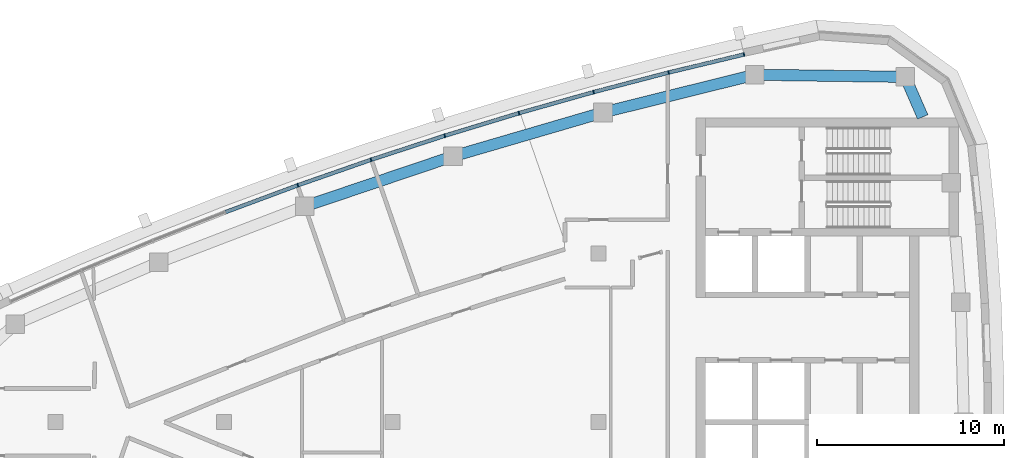
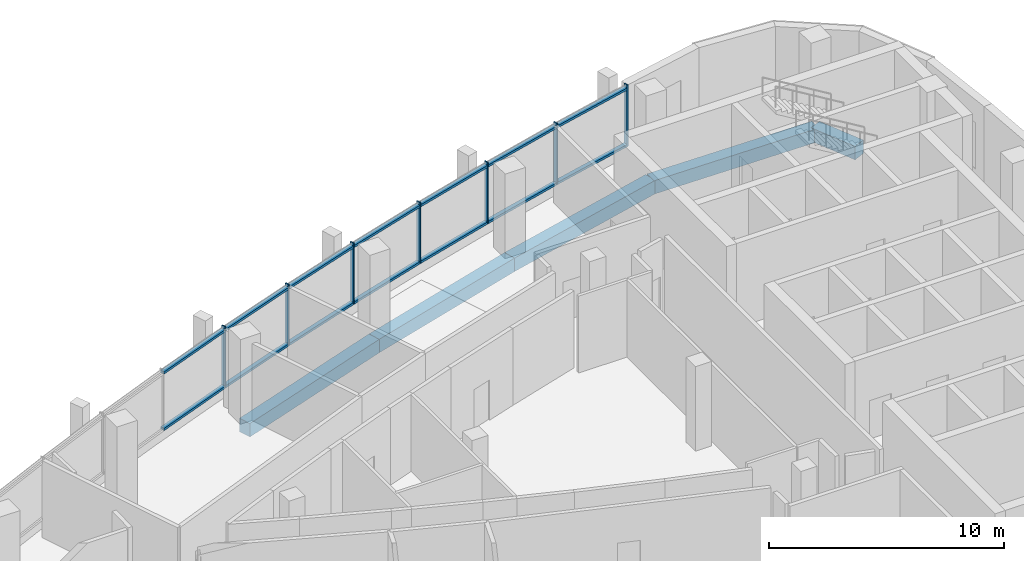
# One storey, part 5 of 15: 21 members, 5 beams, 4 elements without a shape of their own.
"""IFC4 building model written with IfcOpenShell, lengths in metres."""

from ifc_helpers import new_model, si_unit, direction, frame, origin, origin_2d, place, context, subcontext, project, spatial, rectangle, extrude, material, layer, layer_set, material_profile, profile_set, type_object, element, aggregate, save


model = new_model("IFC4")

# Units and contexts
model_context = context("Model", 3, precision=1e-05, world=origin(), true_north=direction((0.0, 1.0)))
body_context = subcontext(model_context, "Body", "Model", "MODEL_VIEW")
ifc_project = project(units=[si_unit("LENGTHUNIT", "METRE"), si_unit("AREAUNIT", "SQUARE_METRE"), si_unit("VOLUMEUNIT", "CUBIC_METRE"), si_unit("PLANEANGLEUNIT", "RADIAN"), si_unit("MASSUNIT", "GRAM", prefix="KILO")], contexts=[model_context])

# Site, building, storey
site_placement = place(None, origin())
site = spatial("IfcSite", under=ifc_project, at=site_placement, CompositionType="ELEMENT")
building_placement = place(site_placement, origin())
building = spatial("IfcBuilding", under=site, at=building_placement, Name="Ostrand Prow Hotel Tower", CompositionType="ELEMENT")
storey_placement = place(building_placement, frame((0.0, 0.0, 318.60009765625)))
storey = spatial("IfcBuildingStorey", under=building, at=storey_placement, Name="C3", CompositionType="ELEMENT", Elevation=318.60009765625)

# Beams
ifc_material_1 = material(Name="Concrete C40/50", Category="concrete")
ifc_material_profile_1 = material_profile(ifc_material_1, rectangle(XDim=0.60009765625, YDim=0.699951171875, at=origin_2d()), Name="RC 600x700")
ifc_profile_set_1 = profile_set([ifc_material_profile_1], Name="Concrete C40/50")
beam_type = type_object("IfcBeamType", Name="Edge beam 600x700 C40/50", PredefinedType="SPANDREL", material=ifc_profile_set_1)
beam_1_placement = place(storey_placement, frame((62.304931640625, 16.300048828125, -0.650146484375), z_axis=(-0.398863844187, 0.91701016014, 0.0), x_axis=(-0.91701016014, -0.398863844187, 0.0)))
element("IfcBeam", 1, at=beam_1_placement, inside=storey, type_object=beam_type, Name="Edge beam B5-NE", PredefinedType="SPANDREL", context=body_context, shape_type="SweptSolid", body=[
    extrude(rectangle(XDim=0.60009765625, YDim=0.699951171875, at=origin_2d()), origin(), (0.0, 0.0, 1.0), 2.333251953125),
])
beam_2_placement = place(storey_placement, frame((61.374267578125, 18.439697265625, -0.650146484375), z_axis=(-0.999900689486, 0.014092947356, 0.0), x_axis=(-0.014092947356, -0.999900689486, 0.0)))
element("IfcBeam", 2, at=beam_2_placement, inside=storey, type_object=beam_type, Name="Edge beam NE-N1", PredefinedType="SPANDREL", context=body_context, shape_type="SweptSolid", body=[
    extrude(rectangle(XDim=0.60009765625, YDim=0.699951171875, at=origin_2d()), origin(), (0.0, 0.0, 1.0), 8.0380859375),
])
for number, where, z_axis, x_axis, name in (
    (3, (53.3369140625, 18.552978515625, -0.650146484375), (-0.970456465292, -0.241276291775, 0.0), (0.241276291775, -0.970456465292, 0.0), "Edge beam N1-N2"),
    (4, (45.234619140625, 16.53857421875, -0.650146484375), (-0.959821966031, -0.280609681809, 0.0), (0.280609681809, -0.959821966031, 0.0), "Edge beam N2-N3"),
    (5, (37.22119140625, 14.19580078125, -0.650146484375), (-0.947575089419, -0.319533174981, 0.0), (0.319533174981, -0.947575089419, 0.0), "Edge beam N3-N4"),
):
    element("IfcBeam", number, at=place(storey_placement, frame(where, z_axis=z_axis, x_axis=x_axis)), inside=storey, type_object=beam_type, Name=name, PredefinedType="SPANDREL", context=body_context, shape_type="SweptSolid", body=[
        extrude(rectangle(XDim=0.60009765625, YDim=0.699951171875, at=origin_2d()), origin(), (0.0, 0.0, 1.0), 8.348876953125),
    ])

# Curtain wall, members
ifc_material_2 = material(Name="Insulated glass in bronze anodised frame", Category="glass")
ifc_layer = layer(ifc_material_2, 0.199951171875)
ifc_layer_set = layer_set([ifc_layer], Name="Insulated glass in bronze anodised frame")
curtain_wall_type = type_object("IfcCurtainWallType", Name="Sky lobby full-height curtain wall", PredefinedType="NOTDEFINED", material=ifc_layer_set)
curtain_wall_1_placement = place(storey_placement, origin())
curtain_wall_1 = element("IfcCurtainWall", 6, at=curtain_wall_1_placement, inside=storey, type_object=curtain_wall_type, Name="CW3 run CWN1", PredefinedType="NOTDEFINED")
ifc_material_3 = material(Name="Bronze anodised aluminium", Category="aluminium")
ifc_material_profile_2 = material_profile(ifc_material_3, rectangle(XDim=0.199951171875, YDim=0.06005859375, at=origin_2d()), Name="Mullion 60x200 bronze anodised aluminium")
ifc_profile_set_2 = profile_set([ifc_material_profile_2], Name="Bronze anodised aluminium")
member_type_1 = type_object("IfcMemberType", Name="Mullion 60x200 bronze anodised aluminium", PredefinedType="MULLION", material=ifc_profile_set_2)
member_1_placement = place(storey_placement, frame((52.7607421875, 19.634521484375, 0.89990234375), z_axis=(0.0, 0.0, 1.0), x_axis=(0.232746096028, -0.972537533869, 0.0)))
member_1 = element("IfcMember", 7, at=member_1_placement, type_object=member_type_1, Name="CW3 mullion 1", PredefinedType="MULLION", context=body_context, shape_type="SweptSolid", body=[
    extrude(rectangle(XDim=0.199951171875, YDim=0.06005859375, at=origin_2d()), origin(), (0.0, 0.0, 1.0), 3.199951171875),
])
member_2_placement = place(storey_placement, frame((48.734619140625, 18.6708984375, 0.89990234375), z_axis=(0.0, 0.0, 1.0), x_axis=(0.252248384867, -0.967662519855, 0.0)))
member_2 = element("IfcMember", 8, at=member_2_placement, type_object=member_type_1, Name="CW3 mullion 2", PredefinedType="MULLION", context=body_context, shape_type="SweptSolid", body=[
    extrude(rectangle(XDim=0.199951171875, YDim=0.06005859375, at=origin_2d()), origin(), (0.0, 0.0, 1.0), 3.199951171875),
])
member_3_placement = place(storey_placement, frame((44.728515625, 17.626708984375, 0.89990234375), z_axis=(0.0, 0.0, 1.0), x_axis=(0.252248384867, -0.967662519855, 0.0)))
member_3 = element("IfcMember", 9, at=member_3_placement, type_object=member_type_1, Name="CW3 mullion 3", PredefinedType="MULLION", context=body_context, shape_type="SweptSolid", body=[
    extrude(rectangle(XDim=0.199951171875, YDim=0.06005859375, at=origin_2d()), origin(), (0.0, 0.0, 1.0), 3.199951171875),
])

curtain_wall_2_placement = place(storey_placement, origin())
curtain_wall_2 = element("IfcCurtainWall", 10, at=curtain_wall_2_placement, inside=storey, type_object=curtain_wall_type, Name="CW3 run CWN2", PredefinedType="NOTDEFINED")
member_4_placement = place(storey_placement, frame((40.744384765625, 16.502197265625, 0.89990234375), z_axis=(0.0, 0.0, 1.0), x_axis=(0.290937648411, -0.956742015769, 0.0)))
member_4 = element("IfcMember", 11, at=member_4_placement, type_object=member_type_1, Name="CW3 mullion 2", PredefinedType="MULLION", context=body_context, shape_type="SweptSolid", body=[
    extrude(rectangle(XDim=0.199951171875, YDim=0.06005859375, at=origin_2d()), origin(), (0.0, 0.0, 1.0), 3.199951171875),
])
member_5_placement = place(storey_placement, frame((36.78369140625, 15.297607421875, 0.89990234375), z_axis=(0.0, 0.0, 1.0), x_axis=(0.290937648411, -0.956742015769, 0.0)))
member_5 = element("IfcMember", 12, at=member_5_placement, type_object=member_type_1, Name="CW3 mullion 3", PredefinedType="MULLION", context=body_context, shape_type="SweptSolid", body=[
    extrude(rectangle(XDim=0.199951171875, YDim=0.06005859375, at=origin_2d()), origin(), (0.0, 0.0, 1.0), 3.199951171875),
])

curtain_wall_3_placement = place(storey_placement, origin())
curtain_wall_3 = element("IfcCurtainWall", 13, at=curtain_wall_3_placement, inside=storey, type_object=curtain_wall_type, Name="CW3 run CWN3", PredefinedType="NOTDEFINED")
member_6_placement = place(storey_placement, frame((32.84814453125, 14.013916015625, 0.89990234375), z_axis=(0.0, 0.0, 1.0), x_axis=(0.329158370885, -0.944274730614, 0.0)))
member_6 = element("IfcMember", 14, at=member_6_placement, type_object=member_type_1, Name="CW3 mullion 2", PredefinedType="MULLION", context=body_context, shape_type="SweptSolid", body=[
    extrude(rectangle(XDim=0.199951171875, YDim=0.06005859375, at=origin_2d()), origin(), (0.0, 0.0, 1.0), 3.199951171875),
])
member_7_placement = place(storey_placement, frame((28.93896484375, 12.6513671875, 0.89990234375), z_axis=(0.0, 0.0, 1.0), x_axis=(0.329158370885, -0.944274730614, 0.0)))
member_7 = element("IfcMember", 15, at=member_7_placement, type_object=member_type_1, Name="CW3 mullion 3", PredefinedType="MULLION", context=body_context, shape_type="SweptSolid", body=[
    extrude(rectangle(XDim=0.199951171875, YDim=0.06005859375, at=origin_2d()), origin(), (0.0, 0.0, 1.0), 3.199951171875),
])

# Member
ifc_material_4 = material(Name="Bronze anodised aluminium", Category="aluminium")
ifc_material_profile_3 = material_profile(ifc_material_4, rectangle(XDim=0.199951171875, YDim=0.1201171875, at=origin_2d()), Name="Transom 120x200 bronze anodised aluminium")
ifc_profile_set_3 = profile_set([ifc_material_profile_3], Name="Bronze anodised aluminium")
member_type_2 = type_object("IfcMemberType", Name="Transom 120x200 bronze anodised aluminium", PredefinedType="USERDEFINED", material=ifc_profile_set_3)
member_8_placement = place(storey_placement, frame((52.7314453125, 19.62744140625, 0.9599609375), z_axis=(-0.972542980558, -0.232723335675, 0.0), x_axis=(0.232723335675, -0.972542980558, 0.0)))
member_8 = element("IfcMember", 16, at=member_8_placement, type_object=member_type_2, Name="CW3 transom 1.1", ObjectType="TRANSOM", PredefinedType="USERDEFINED", context=body_context, shape_type="SweptSolid", body=[
    extrude(rectangle(XDim=0.199951171875, YDim=0.1201171875, at=origin_2d()), origin(), (0.0, 0.0, 1.0), 4.079833984375),
])

member_9_placement = place(storey_placement, frame((52.7314453125, 19.62744140625, 3.89990234375), z_axis=(-0.972542980558, -0.232723335675, 0.0), x_axis=(0.232723335675, -0.972542980558, 0.0)))
member_9 = element("IfcMember", 17, at=member_9_placement, type_object=member_type_2, Name="CW3 transom 1.2", ObjectType="TRANSOM", PredefinedType="USERDEFINED", context=body_context, shape_type="SweptSolid", body=[
    extrude(rectangle(XDim=0.199951171875, YDim=0.1201171875, at=origin_2d()), origin(), (0.0, 0.0, 1.0), 4.079833984375),
])

member_10_placement = place(storey_placement, frame((48.70556640625, 18.663330078125, 0.9599609375), z_axis=(-0.967664917891, -0.252239185461, 0.0), x_axis=(0.252239185461, -0.967664917891, 0.0)))
member_10 = element("IfcMember", 18, at=member_10_placement, type_object=member_type_2, Name="CW3 transom 2.1", ObjectType="TRANSOM", PredefinedType="USERDEFINED", context=body_context, shape_type="SweptSolid", body=[
    extrude(rectangle(XDim=0.199951171875, YDim=0.1201171875, at=origin_2d()), origin(), (0.0, 0.0, 1.0), 4.07958984375),
])

member_11_placement = place(storey_placement, frame((48.70556640625, 18.663330078125, 3.89990234375), z_axis=(-0.967664917891, -0.252239185461, 0.0), x_axis=(0.252239185461, -0.967664917891, 0.0)))
member_11 = element("IfcMember", 19, at=member_11_placement, type_object=member_type_2, Name="CW3 transom 2.2", ObjectType="TRANSOM", PredefinedType="USERDEFINED", context=body_context, shape_type="SweptSolid", body=[
    extrude(rectangle(XDim=0.199951171875, YDim=0.1201171875, at=origin_2d()), origin(), (0.0, 0.0, 1.0), 4.07958984375),
])

aggregate(curtain_wall_1, [member_1, member_2, member_3, member_8, member_9, member_10, member_11])

member_12_placement = place(storey_placement, frame((44.69970703125, 17.61865234375, 0.9599609375), z_axis=(-0.962386308628, -0.271684730828, 0.0), x_axis=(0.271684730828, -0.962386308628, 0.0)))
member_12 = element("IfcMember", 20, at=member_12_placement, type_object=member_type_2, Name="CW3 transom 1.1", ObjectType="TRANSOM", PredefinedType="USERDEFINED", context=body_context, shape_type="SweptSolid", body=[
    extrude(rectangle(XDim=0.199951171875, YDim=0.1201171875, at=origin_2d()), origin(), (0.0, 0.0, 1.0), 4.079833984375),
])

member_13_placement = place(storey_placement, frame((44.69970703125, 17.61865234375, 3.89990234375), z_axis=(-0.962386308628, -0.271684730828, 0.0), x_axis=(0.271684730828, -0.962386308628, 0.0)))
member_13 = element("IfcMember", 21, at=member_13_placement, type_object=member_type_2, Name="CW3 transom 1.2", ObjectType="TRANSOM", PredefinedType="USERDEFINED", context=body_context, shape_type="SweptSolid", body=[
    extrude(rectangle(XDim=0.199951171875, YDim=0.1201171875, at=origin_2d()), origin(), (0.0, 0.0, 1.0), 4.079833984375),
])

member_14_placement = place(storey_placement, frame((40.7158203125, 16.493408203125, 0.9599609375), z_axis=(-0.956739081124, -0.290947298751, 0.0), x_axis=(0.290947298751, -0.956739081124, 0.0)))
member_14 = element("IfcMember", 22, at=member_14_placement, type_object=member_type_2, Name="CW3 transom 2.1", ObjectType="TRANSOM", PredefinedType="USERDEFINED", context=body_context, shape_type="SweptSolid", body=[
    extrude(rectangle(XDim=0.199951171875, YDim=0.1201171875, at=origin_2d()), origin(), (0.0, 0.0, 1.0), 4.079833984375),
])

member_15_placement = place(storey_placement, frame((40.7158203125, 16.493408203125, 3.89990234375), z_axis=(-0.956739081124, -0.290947298751, 0.0), x_axis=(0.290947298751, -0.956739081124, 0.0)))
member_15 = element("IfcMember", 23, at=member_15_placement, type_object=member_type_2, Name="CW3 transom 2.2", ObjectType="TRANSOM", PredefinedType="USERDEFINED", context=body_context, shape_type="SweptSolid", body=[
    extrude(rectangle(XDim=0.199951171875, YDim=0.1201171875, at=origin_2d()), origin(), (0.0, 0.0, 1.0), 4.079833984375),
])

aggregate(curtain_wall_2, [member_4, member_5, member_12, member_13, member_14, member_15])

member_16_placement = place(storey_placement, frame((36.75537109375, 15.288330078125, 0.9599609375), z_axis=(-0.950704145978, -0.310099382165, 0.0), x_axis=(0.310099382165, -0.950704145978, 0.0)))
member_16 = element("IfcMember", 24, at=member_16_placement, type_object=member_type_2, Name="CW3 transom 1.1", ObjectType="TRANSOM", PredefinedType="USERDEFINED", context=body_context, shape_type="SweptSolid", body=[
    extrude(rectangle(XDim=0.199951171875, YDim=0.1201171875, at=origin_2d()), origin(), (0.0, 0.0, 1.0), 4.079833984375),
])

member_17_placement = place(storey_placement, frame((36.75537109375, 15.288330078125, 3.89990234375), z_axis=(-0.950704145978, -0.310099382165, 0.0), x_axis=(0.310099382165, -0.950704145978, 0.0)))
member_17 = element("IfcMember", 25, at=member_17_placement, type_object=member_type_2, Name="CW3 transom 1.2", ObjectType="TRANSOM", PredefinedType="USERDEFINED", context=body_context, shape_type="SweptSolid", body=[
    extrude(rectangle(XDim=0.199951171875, YDim=0.1201171875, at=origin_2d()), origin(), (0.0, 0.0, 1.0), 4.079833984375),
])

member_18_placement = place(storey_placement, frame((32.81982421875, 14.004150390625, 0.9599609375), z_axis=(-0.944268108385, -0.329177367822, 0.0), x_axis=(0.329177367822, -0.944268108385, 0.0)))
member_18 = element("IfcMember", 26, at=member_18_placement, type_object=member_type_2, Name="CW3 transom 2.1", ObjectType="TRANSOM", PredefinedType="USERDEFINED", context=body_context, shape_type="SweptSolid", body=[
    extrude(rectangle(XDim=0.199951171875, YDim=0.1201171875, at=origin_2d()), origin(), (0.0, 0.0, 1.0), 4.079833984375),
])

member_19_placement = place(storey_placement, frame((32.81982421875, 14.004150390625, 3.89990234375), z_axis=(-0.944268108385, -0.329177367822, 0.0), x_axis=(0.329177367822, -0.944268108385, 0.0)))
member_19 = element("IfcMember", 27, at=member_19_placement, type_object=member_type_2, Name="CW3 transom 2.2", ObjectType="TRANSOM", PredefinedType="USERDEFINED", context=body_context, shape_type="SweptSolid", body=[
    extrude(rectangle(XDim=0.199951171875, YDim=0.1201171875, at=origin_2d()), origin(), (0.0, 0.0, 1.0), 4.079833984375),
])

aggregate(curtain_wall_3, [member_6, member_7, member_16, member_17, member_18, member_19])

# Curtain wall, members
curtain_wall_4_placement = place(storey_placement, origin())
curtain_wall_4 = element("IfcCurtainWall", 28, at=curtain_wall_4_placement, inside=storey, type_object=curtain_wall_type, Name="CW3 run CWN4", PredefinedType="NOTDEFINED")
member_20_placement = place(storey_placement, frame((28.910888671875, 12.640869140625, 0.9599609375), z_axis=(-0.937460424566, -0.348091873465, 0.0), x_axis=(0.348091873465, -0.937460424566, 0.0)))
member_20 = element("IfcMember", 29, at=member_20_placement, type_object=member_type_2, Name="CW3 transom 1.1", ObjectType="TRANSOM", PredefinedType="USERDEFINED", context=body_context, shape_type="SweptSolid", body=[
    extrude(rectangle(XDim=0.199951171875, YDim=0.1201171875, at=origin_2d()), origin(), (0.0, 0.0, 1.0), 4.079833984375),
])
member_21_placement = place(storey_placement, frame((28.910888671875, 12.640869140625, 3.89990234375), z_axis=(-0.937460424566, -0.348091873465, 0.0), x_axis=(0.348091873465, -0.937460424566, 0.0)))
member_21 = element("IfcMember", 30, at=member_21_placement, type_object=member_type_2, Name="CW3 transom 1.2", ObjectType="TRANSOM", PredefinedType="USERDEFINED", context=body_context, shape_type="SweptSolid", body=[
    extrude(rectangle(XDim=0.199951171875, YDim=0.1201171875, at=origin_2d()), origin(), (0.0, 0.0, 1.0), 4.079833984375),
])
aggregate(curtain_wall_4, [member_20, member_21])

save(model, "model.ifc")
